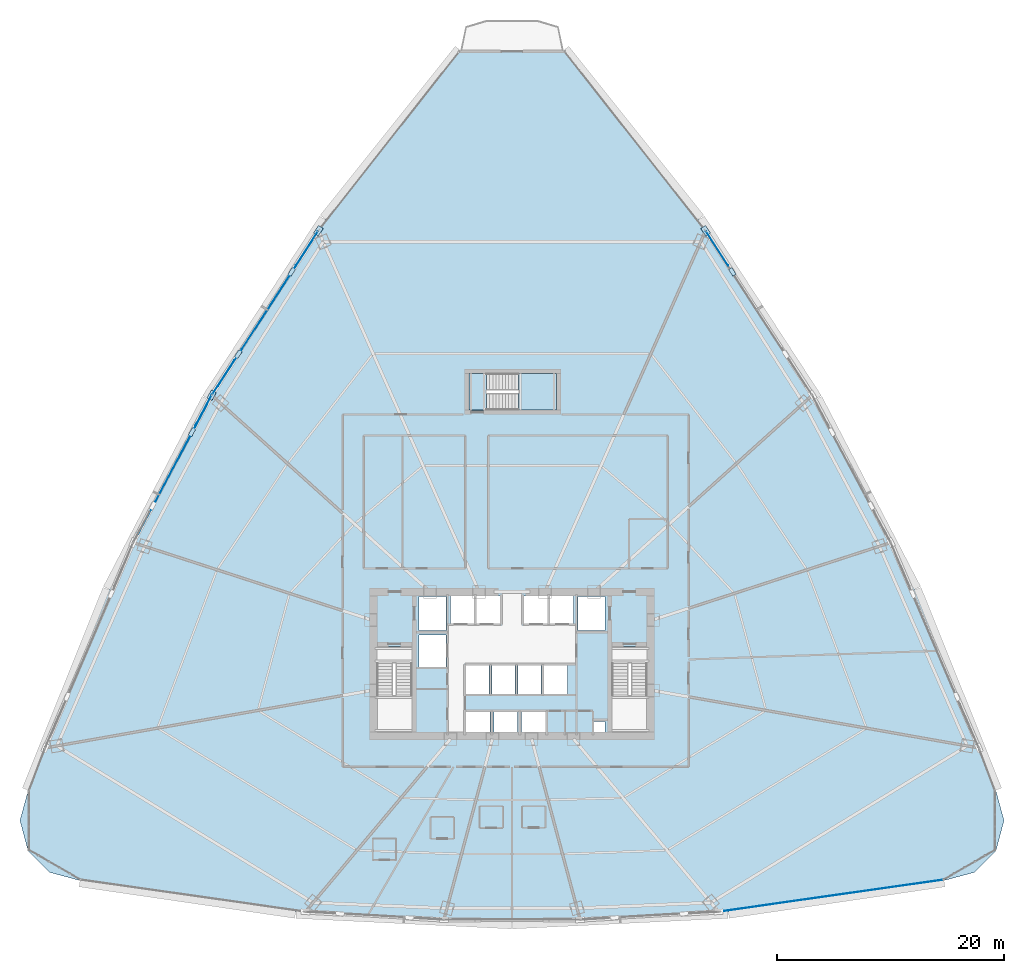
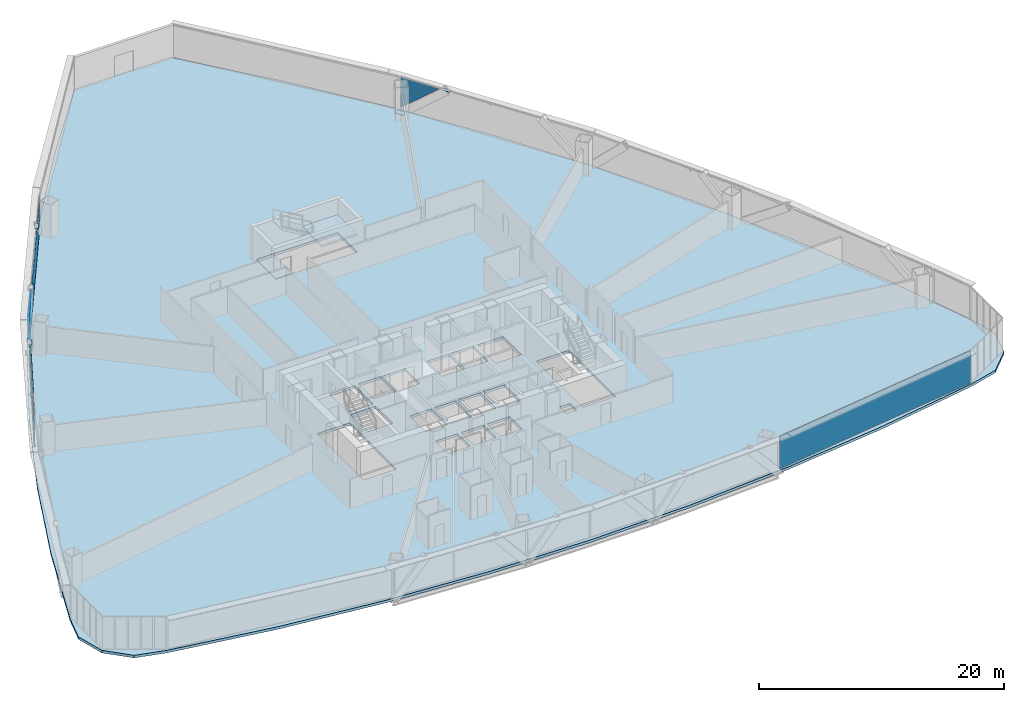
# One storey, part 30 of 41: 14 plates, 3 slabs, 5 elements without a shape of their own.
"""IFC4 building model written with IfcOpenShell, lengths in metres."""

from ifc_helpers import new_model, si_unit, direction, frame, origin, origin_2d, place, context, subcontext, project, spatial, polyline, rectangle, outline, extrude, source, transform, mapped, material, layer, layer_set, type_object, element, aggregate, save


model = new_model("IFC4")

# Units and contexts
model_context = context("Model", 3, precision=1e-05, world=origin(), true_north=direction((0.0, 1.0)))
body_context = subcontext(model_context, "Body", "Model", "MODEL_VIEW")
ifc_project = project(units=[si_unit("LENGTHUNIT", "METRE"), si_unit("AREAUNIT", "SQUARE_METRE"), si_unit("VOLUMEUNIT", "CUBIC_METRE"), si_unit("PLANEANGLEUNIT", "RADIAN"), si_unit("MASSUNIT", "GRAM", prefix="KILO"), si_unit("THERMODYNAMICTEMPERATUREUNIT", "KELVIN"), si_unit("POWERUNIT", "WATT")], contexts=[model_context])

# Site, building, storey
site_placement = place(None, origin())
site = spatial("IfcSite", under=ifc_project, at=site_placement, CompositionType="ELEMENT")
building_placement = place(site_placement, origin())
building = spatial("IfcBuilding", under=site, at=building_placement, Name="Yunzhuo Pagoda Commons", CompositionType="ELEMENT")
storey_placement = place(building_placement, frame((0.0, 0.0, 63.070068359375)))
storey = spatial("IfcBuildingStorey", under=building, at=storey_placement, Name="L16", CompositionType="ELEMENT", Elevation=63.070068359375)

# Curtain wall, plate
ifc_material_1 = material(Name="Anodized aluminium 6063-T6", Category="aluminium")
ifc_layer_1 = layer(ifc_material_1, 0.1650390625)
ifc_layer_set_1 = layer_set([ifc_layer_1], Name="Anodized aluminium 6063-T6")
curtain_wall_type = type_object("IfcCurtainWallType", Name="CW-LOW Low-Zone Ribbon Curtain Wall", PredefinedType="NOTDEFINED", material=ifc_layer_set_1)
curtain_wall_1_placement = place(storey_placement, origin())
curtain_wall_1 = element("IfcCurtainWall", 1, at=curtain_wall_1_placement, inside=storey, type_object=curtain_wall_type, Name="L16 curtain wall CW-L16-F2B4", PredefinedType="NOTDEFINED")
ifc_material_2 = material(Name="Tempered low-e double glazing", Category="glass")
ifc_layer_2 = layer(ifc_material_2, 0.028076171875)
ifc_layer_set_2 = layer_set([ifc_layer_2], Name="Tempered low-e double glazing")
plate_type_1 = type_object("IfcPlateType", Name="CW-LOW-P Low-E Double Glazing 28", PredefinedType="CURTAIN_PANEL", material=ifc_layer_set_2)
plate_1_placement = place(storey_placement, frame((66.037841796875, 70.4013671875, 1.800537109375), z_axis=(0.838840312647, 0.54437756188, 0.0), x_axis=(-0.54437756188, 0.838840312647, 0.0)))
plate_1 = element("IfcPlate", 2, at=plate_1_placement, type_object=plate_type_1, Name="CW panel 1.1 lite 3", PredefinedType="CURTAIN_PANEL", context=body_context, shape_type="SweptSolid", body=[
    extrude(outline(polyline([(-1.793212890625, 1.50927734375), (1.793212890625, -1.50927734375), (1.793212890625, 1.50927734375), (-1.793212890625, 1.50927734375)])), origin(), (0.0, 0.0, 1.0), 0.028076171875),
])
aggregate(curtain_wall_1, [plate_1])

# Curtain wall, plates
curtain_wall_2_placement = place(storey_placement, origin())
curtain_wall_2 = element("IfcCurtainWall", 3, at=curtain_wall_2_placement, inside=storey, type_object=curtain_wall_type, Name="L16 curtain wall CW-L16-F3B2", PredefinedType="NOTDEFINED")
plate_2_placement = place(storey_placement, frame((29.962158203125, 70.4013671875, 1.800537109375), z_axis=(-0.838840312647, 0.54437756188, 0.0), x_axis=(-0.54437756188, -0.838840312647, 0.0)))
plate_2 = element("IfcPlate", 4, at=plate_2_placement, type_object=plate_type_1, Name="CW panel 1.1 lite 1", PredefinedType="CURTAIN_PANEL", context=body_context, shape_type="SweptSolid", body=[
    extrude(outline(polyline([(-1.793212890625, -1.50927734375), (1.793212890625, 1.50927734375), (-1.793212890625, 1.50927734375), (-1.793212890625, -1.50927734375)])), origin(), (0.0, 0.0, 1.0), 0.028076171875),
])
plate_3_placement = place(storey_placement, frame((26.303466796875, 64.708251953125, 1.684814453125), z_axis=(-0.838840312647, 0.54437756188, 0.0), x_axis=(-0.54437756188, -0.838840312647, 0.0)))
plate_3 = element("IfcPlate", 5, at=plate_3_placement, type_object=plate_type_1, Name="CW panel 1.1 lite 2", PredefinedType="CURTAIN_PANEL", context=body_context, shape_type="SweptSolid", body=[
    extrude(outline(polyline([(-7.6552734375, -1.625), (7.6552734375, -1.625), (3.7939453125, 1.625), (-3.7939453125, 1.625), (-7.6552734375, -1.625)])), origin(), (0.0, 0.0, 1.0), 0.028076171875),
])
plate_4_placement = place(storey_placement, frame((22.59423828125, 59.0478515625, 1.800537109375), z_axis=(-0.838840312647, 0.54437756188, 0.0), x_axis=(-0.54437756188, -0.838840312647, 0.0)))
plate_4 = element("IfcPlate", 6, at=plate_4_placement, type_object=plate_type_1, Name="CW panel 1.1 lite 3", PredefinedType="CURTAIN_PANEL", context=body_context, shape_type="SweptSolid", body=[
    extrude(outline(polyline([(-1.793212890625, 1.50927734375), (1.793212890625, -1.50927734375), (1.793212890625, 1.50927734375), (-1.793212890625, 1.50927734375)])), origin(), (0.0, 0.0, 1.0), 0.028076171875),
])
aggregate(curtain_wall_2, [plate_2, plate_3, plate_4])

curtain_wall_3_placement = place(storey_placement, origin())
curtain_wall_3 = element("IfcCurtainWall", 7, at=curtain_wall_3_placement, inside=storey, type_object=curtain_wall_type, Name="L16 curtain wall CW-L16-F3B3", PredefinedType="NOTDEFINED")
plate_5_placement = place(storey_placement, frame((20.846435546875, 56.106201171875, 1.82421875), z_axis=(-0.882636758547, 0.470055690808, 0.0), x_axis=(-0.470055690808, -0.882636758547, 0.0)))
plate_5 = element("IfcPlate", 8, at=plate_5_placement, type_object=plate_type_1, Name="CW panel 1.1 lite 1", PredefinedType="CURTAIN_PANEL", context=body_context, shape_type="SweptSolid", body=[
    extrude(outline(polyline([(-1.503173828125, -1.48583984375), (1.503173828125, 1.485595703125), (-1.503173828125, 1.485595703125), (-1.503173828125, -1.48583984375)])), origin(), (0.0, 0.0, 1.0), 0.028076171875),
])
plate_6_placement = place(storey_placement, frame((18.157470703125, 50.9931640625, 1.684814453125), z_axis=(-0.882636758547, 0.470055690808, 0.0), x_axis=(-0.470055690808, -0.882636758547, 0.0)))
plate_6 = element("IfcPlate", 9, at=plate_6_placement, type_object=plate_type_1, Name="CW panel 1.1 lite 2", PredefinedType="CURTAIN_PANEL", context=body_context, shape_type="SweptSolid", body=[
    extrude(outline(polyline([(-6.480712890625, -1.625), (6.480712890625, -1.625), (3.192626953125, 1.625), (-3.192626953125, 1.625), (-6.480712890625, -1.625)])), origin(), (0.0, 0.0, 1.0), 0.028076171875),
])
aggregate(curtain_wall_3, [plate_5, plate_6])

# Stair, slabs
ifc_material_3 = material(Name="Concrete C40", Category="concrete")
stair_type = type_object("IfcStairType", Name="ST-C3 North Tower Smokeproof Stair ST3", PredefinedType="HALF_TURN_STAIR", material=ifc_material_3)
stair_placement = place(storey_placement, origin())
stair = element("IfcStair", 10, at=stair_placement, inside=storey, type_object=stair_type, Name="L16 North tower smokeproof stair ST3", PredefinedType="HALF_TURN_STAIR")
ifc_layer_3 = layer(ifc_material_3, 0.2041015625)
ifc_layer_set_3 = layer_set([ifc_layer_3], Name="Concrete C40")
slab_type_1 = type_object("IfcSlabType", Name="SL-LND5 North Landing Slab 204", PredefinedType="LANDING", material=ifc_layer_set_3)
slab_1_placement = place(storey_placement, frame((0.0, 0.0, 1.614990234375)))
slab_1 = element("IfcSlab", 11, at=slab_1_placement, type_object=slab_type_1, Name="ST3 landing 1", PredefinedType="LANDING", context=body_context, shape_type="SweptSolid", body=[
    extrude(outline(polyline([(48.550048828125, 56.199951171875), (51.89990234375, 56.199951171875), (51.89990234375, 59.39990234375), (48.550048828125, 59.39990234375), (48.550048828125, 56.199951171875)])), origin(), (0.0, 0.0, 1.0), 0.199951171875),
])
slab_2_placement = place(storey_placement, frame((0.0, 0.0, -0.199951171875)))
slab_2 = element("IfcSlab", 12, at=slab_2_placement, type_object=slab_type_1, Name="ST3 floor landing L16", PredefinedType="LANDING", context=body_context, shape_type="SweptSolid", body=[
    extrude(outline(polyline([(44.199951171875, 56.199951171875), (45.75, 56.199951171875), (45.75, 59.39990234375), (44.199951171875, 59.39990234375), (44.199951171875, 56.199951171875)])), origin(), (0.0, 0.0, 1.0), 0.199951171875),
])
aggregate(stair, [slab_1, slab_2])

# Slab
ifc_layer_4 = layer(ifc_material_3, 0.260009765625)
ifc_layer_set_4 = layer_set([ifc_layer_4], Name="Concrete C40")
slab_type_2 = type_object("IfcSlabType", Name="SL-TWR Typical Tower Floor Slab 260", PredefinedType="FLOOR", material=ifc_layer_set_4)
slab_3_placement = place(storey_placement, frame((0.0, 0.0, -0.260009765625)))
element("IfcSlab", 13, at=slab_3_placement, inside=storey, type_object=slab_type_2, Name="L16 structural floor slab", PredefinedType="FLOOR", context=body_context, shape_type="SweptSolid", body=[
    extrude(outline(polyline([(8.778564453125, 31.66943359375), (12.53369140625, 40.397216796875), (16.688720703125, 48.8916015625), (21.2431640625, 57.15283203125), (26.197265625, 65.180908203125), (31.55078125, 72.9755859375), (37.30419921875, 80.537109375), (43.45703125, 87.865234375), (52.54296875, 87.865234375), (58.69580078125, 80.537109375), (64.44921875, 72.9755859375), (69.802734375, 65.180908203125), (74.7568359375, 57.15283203125), (79.311279296875, 48.8916015625), (83.46630859375, 40.397216796875), (87.221435546875, 31.66943359375), (90.5771484375, 22.70849609375), (91.29443359375, 20.075439453125), (90.595947265625, 17.4375), (88.669921875, 15.50439453125), (86.0341796875, 14.79638671875), (76.525634765625, 13.177001953125), (67.01708984375, 12.020263671875), (57.508544921875, 11.326171875), (48.0, 11.0947265625), (38.491455078125, 11.326171875), (28.98291015625, 12.020263671875), (19.474365234375, 13.177001953125), (9.9658203125, 14.79638671875), (7.330078125, 15.50439453125), (5.404052734375, 17.4375), (4.70556640625, 20.075439453125), (5.4228515625, 22.70849609375), (8.778564453125, 31.66943359375)]), holes=[polyline([(46.050048828125, 27.60009765625), (46.050048828125, 29.64990234375), (43.949951171875, 29.64990234375), (43.949951171875, 27.60009765625), (46.050048828125, 27.60009765625)]), polyline([(48.5, 27.60009765625), (48.5, 29.64990234375), (46.39990234375, 29.64990234375), (46.39990234375, 27.60009765625), (48.5, 27.60009765625)]), polyline([(36.10009765625, 27.800048828125), (39.199951171875, 27.800048828125), (39.199951171875, 35.39990234375), (36.10009765625, 35.39990234375), (36.10009765625, 27.800048828125)]), polyline([(45.969970703125, 31.199951171875), (45.969970703125, 33.800048828125), (43.929931640625, 33.800048828125), (43.929931640625, 31.199951171875), (45.969970703125, 31.199951171875)]), polyline([(48.27001953125, 31.199951171875), (48.27001953125, 33.800048828125), (46.22998046875, 33.800048828125), (46.22998046875, 31.199951171875), (48.27001953125, 31.199951171875)]), polyline([(42.199951171875, 33.60009765625), (42.199951171875, 36.39990234375), (39.800048828125, 36.39990234375), (39.800048828125, 33.60009765625), (42.199951171875, 33.60009765625)]), polyline([(42.199951171875, 36.800048828125), (42.199951171875, 39.800048828125), (39.800048828125, 39.800048828125), (39.800048828125, 36.800048828125), (42.199951171875, 36.800048828125)]), polyline([(42.60009765625, 37.39990234375), (44.699951171875, 37.39990234375), (44.699951171875, 39.85009765625), (42.60009765625, 39.85009765625), (42.60009765625, 37.39990234375)]), polyline([(44.85009765625, 37.39990234375), (46.949951171875, 37.39990234375), (46.949951171875, 39.85009765625), (44.85009765625, 39.85009765625), (44.85009765625, 37.39990234375)]), polyline([(56.179931640625, 27.699951171875), (56.179931640625, 28.800048828125), (55.179931640625, 28.800048828125), (55.179931640625, 27.699951171875), (56.179931640625, 27.699951171875)]), polyline([(50.949951171875, 27.60009765625), (50.949951171875, 29.64990234375), (48.85009765625, 29.64990234375), (48.85009765625, 27.60009765625), (50.949951171875, 27.60009765625)]), polyline([(56.800048828125, 27.800048828125), (59.89990234375, 27.800048828125), (59.89990234375, 35.39990234375), (56.800048828125, 35.39990234375), (56.800048828125, 27.800048828125)]), polyline([(50.570068359375, 31.199951171875), (50.570068359375, 33.800048828125), (48.530029296875, 33.800048828125), (48.530029296875, 31.199951171875), (50.570068359375, 31.199951171875)]), polyline([(52.8701171875, 31.199951171875), (52.8701171875, 33.800048828125), (50.830078125, 33.800048828125), (50.830078125, 31.199951171875), (52.8701171875, 31.199951171875)]), polyline([(56.199951171875, 36.800048828125), (56.199951171875, 39.800048828125), (53.800048828125, 39.800048828125), (53.800048828125, 36.800048828125), (56.199951171875, 36.800048828125)]), polyline([(51.14990234375, 37.39990234375), (51.14990234375, 39.85009765625), (49.050048828125, 39.85009765625), (49.050048828125, 37.39990234375), (51.14990234375, 37.39990234375)]), polyline([(51.300048828125, 37.39990234375), (53.39990234375, 37.39990234375), (53.39990234375, 39.85009765625), (51.300048828125, 39.85009765625), (51.300048828125, 37.39990234375)]), polyline([(44.199951171875, 56.199951171875), (51.89990234375, 56.199951171875), (51.89990234375, 59.39990234375), (44.199951171875, 59.39990234375), (44.199951171875, 56.199951171875)])]), origin(), (0.0, 0.0, 1.0), 0.260009765625),
])

# Plates
ifc_material_4 = material(Name="Structural steel Q355B", Category="steel")
ifc_layer_5 = layer(ifc_material_4, 0.028076171875)
ifc_layer_set_5 = layer_set([ifc_layer_5], Name="Structural steel Q355B")
plate_type_2 = type_object("IfcPlateType", Name="SP-ND1 Lattice Node Cap Plate 800x500x28", PredefinedType="USERDEFINED", material=ifc_layer_set_5)
shared_shape_1 = source(origin(), body_context, "Body", "SweptSolid", [
    extrude(rectangle(XDim=0.800048828125, YDim=0.5, at=origin_2d()), origin(), (0.0, 0.0, 1.0), 0.028076171875),
])
for number, where, z_axis, x_axis, name in (
    (14, (65.037841796875, 71.9677734375, -0.27392578125), (0.0, 0.0, 1.0), (-0.544375532013, 0.838841629955, 0.0), "L16 diamond node plate F2.3B"),
    (15, (30.962158203125, 71.9677734375, -0.27392578125), (0.0, 0.0, 1.0), (-0.544375532013, -0.838841629955, 0.0), "L16 diamond node plate F3.1A"),
    (16, (21.571044921875, 57.496826171875, -0.27392578125), (0.0, 0.0, 1.0), (-0.47005705251, -0.88263603336, 0.0), "L16 diamond node plate F3.2A"),
):
    element("IfcPlate", number, at=place(storey_placement, frame(where, z_axis=z_axis, x_axis=x_axis)), inside=storey, type_object=plate_type_2, Name=name, ObjectType="STIFFENER_PLATE", PredefinedType="USERDEFINED", context=body_context, shape_type="MappedRepresentation", body=[
        mapped(shared_shape_1, transform((0.0, 0.0, 0.0), scale=1.0)),
    ])
shared_shape_2 = source(origin(), body_context, "Body", "SweptSolid", [
    extrude(rectangle(XDim=0.699951171875, YDim=0.35009765625, at=origin_2d()), origin(), (0.0, 0.0, 1.0), 0.035888671875),
])
for number, where, z_axis, x_axis, name in (
    (17, (67.3857421875, 68.35009765625, 3.33203125), (0.0, 0.0, 1.0), (-0.544375532013, 0.838841629955, 0.0), "L16 setback lattice tie plate F2.3R"),
    (18, (28.6142578125, 68.35009765625, 3.33203125), (0.0, 0.0, 1.0), (-0.544375532013, -0.838841629955, 0.0), "L16 setback lattice tie plate F3.1L"),
    (19, (23.918701171875, 61.114501953125, 3.33203125), (0.0, 0.0, 1.0), (-0.544375532013, -0.838841629955, 0.0), "L16 setback lattice tie plate F3.1R"),
    (20, (19.8447265625, 54.25537109375, 3.33203125), (0.0, 0.0, 1.0), (-0.47005705251, -0.88263603336, 0.0), "L16 setback lattice tie plate F3.2L"),
):
    element("IfcPlate", number, at=place(storey_placement, frame(where, z_axis=z_axis, x_axis=x_axis)), inside=storey, type_object=plate_type_2, Name=name, ObjectType="STIFFENER_PLATE", PredefinedType="USERDEFINED", context=body_context, shape_type="MappedRepresentation", body=[
        mapped(shared_shape_2, transform((0.0, 0.0, 0.0), scale=1.0)),
    ])

# Curtain wall, plate
curtain_wall_4_placement = place(storey_placement, origin())
curtain_wall_4 = element("IfcCurtainWall", 21, at=curtain_wall_4_placement, inside=storey, type_object=curtain_wall_type, Name="L16 curtain wall CW-L16-F1B5", PredefinedType="NOTDEFINED")
shared_shape_3 = source(origin(), body_context, "Body", "SweptSolid", [
    extrude(rectangle(XDim=19.814697265625, YDim=0.028076171875, at=origin_2d()), origin(), (0.0, 0.0, 1.0), 3.25),
])
plate_7_placement = place(storey_placement, frame((76.12158203125, 13.4580078125, 0.059814453125), z_axis=(0.0, 0.0, 1.0), x_axis=(0.989989664719, 0.141139872999, 0.0)))
plate_7 = element("IfcPlate", 22, at=plate_7_placement, type_object=plate_type_1, Name="CW panel 1.1", PredefinedType="CURTAIN_PANEL", context=body_context, shape_type="MappedRepresentation", body=[
    mapped(shared_shape_3, transform((0.0, 0.0, 0.0), scale=1.0)),
])
aggregate(curtain_wall_4, [plate_7])

save(model, "model.ifc")
